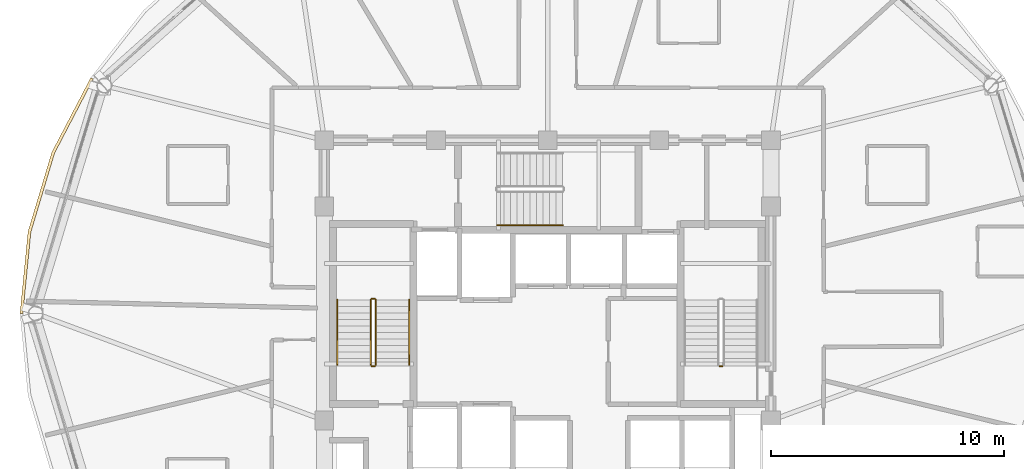
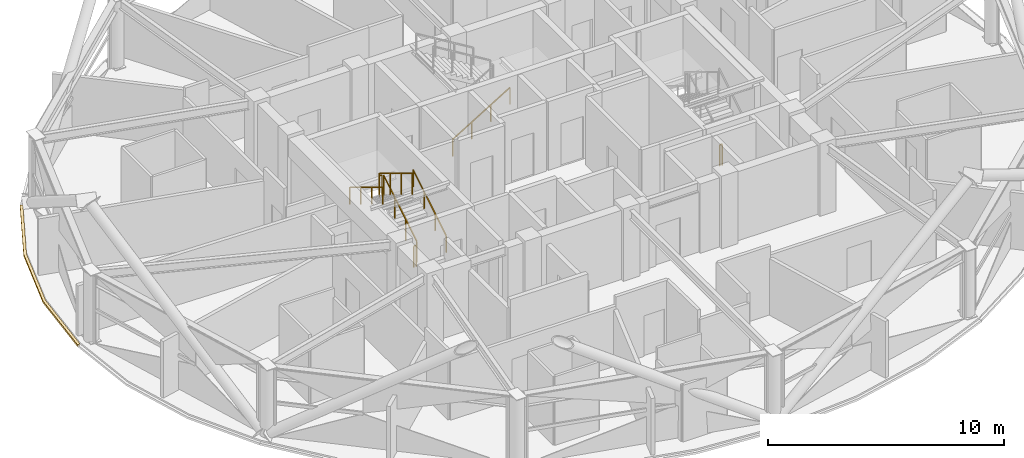
# One storey, part 27 of 29: 8 railings, 1 covering.
"""IFC4 building model written with IfcOpenShell, lengths in metres."""

from ifc_helpers import new_model, si_unit, direction, frame, origin, origin_2d, place, context, subcontext, project, spatial, polyline, rectangle, outline, extrude, material, layer, layer_set, type_object, element, save


model = new_model("IFC4")

# Units and contexts
model_context = context("Model", 3, precision=1e-05, world=origin(), true_north=direction((0.0, 1.0)))
body_context = subcontext(model_context, "Body", "Model", "MODEL_VIEW")
ifc_project = project(units=[si_unit("LENGTHUNIT", "METRE"), si_unit("AREAUNIT", "SQUARE_METRE"), si_unit("VOLUMEUNIT", "CUBIC_METRE"), si_unit("PLANEANGLEUNIT", "RADIAN"), si_unit("MASSUNIT", "GRAM", prefix="KILO")], contexts=[model_context])

# Site, building, storey
site_placement = place(None, origin())
site = spatial("IfcSite", under=ifc_project, at=site_placement, CompositionType="ELEMENT")
building_placement = place(site_placement, origin())
building = spatial("IfcBuilding", under=site, at=building_placement, Name="Vantalir Tower", CompositionType="ELEMENT")
storey_placement = place(building_placement, frame((0.0, 0.0, 219.89990234375)))
storey = spatial("IfcBuildingStorey", under=building, at=storey_placement, Name="L55", CompositionType="ELEMENT", Elevation=219.89990234375)

# Covering
ifc_material_1 = material(Name="Anodised champagne aluminium sill fascia", Category="aluminium")
ifc_layer = layer(ifc_material_1, 0.125)
ifc_layer_set = layer_set([ifc_layer], Name="Anodised champagne aluminium sill fascia")
covering_type = type_object("IfcCoveringType", Name="COV-SLAB-FASCIA-125", PredefinedType="CLADDING", material=ifc_layer_set)
covering_placement = place(storey_placement, frame((0.0, 0.0, -0.179931640625)))
element("IfcCovering", 1, at=covering_placement, inside=storey, type_object=covering_type, Name="L55 Perimeter Slab-Edge Sill Fascia 06", PredefinedType="CLADDING", context=body_context, shape_type="SweptSolid", body=[
    extrude(outline(polyline([(11.85205078125, 35.135009765625), (10.179931640625, 31.93310546875), (9.156982421875, 28.52001953125), (8.81201171875, 25.0), (8.93701171875, 25.0), (9.280029296875, 28.498046875), (10.298095703125, 31.889892578125), (11.9599609375, 35.072998046875), (11.85205078125, 35.135009765625)])), origin(), (0.0, 0.0, 1.0), 0.10498046875),
])

# Railings
ifc_material_2 = material(Name="Anodised aluminium and stainless steel guard", Category="steel")
railing_type_1 = type_object("IfcRailingType", Name="RAL-GUARD-1120", PredefinedType="GUARDRAIL", material=ifc_material_2)
railing_1_placement = place(storey_placement, frame((24.110107421875, 22.7900390625, 0.170654296875)))
element("IfcRailing", 2, at=railing_1_placement, inside=storey, type_object=railing_type_1, Name="L55 ST1 stair guard 1", PredefinedType="GUARDRAIL", context=body_context, shape_type="SweptSolid", body=[
    extrude(rectangle(XDim=0.048095703125, YDim=0.048095703125, at=origin_2d()), frame((0.0, 0.0, 1.09619140625), z_axis=(0.0, 0.854202870247, 0.519939858505), x_axis=(-1.0, 0.0, 0.0)), (0.0, 0.0, 1.0), 3.278076171875),
    extrude(rectangle(XDim=0.0419921875, YDim=0.0419921875, at=origin_2d()), origin(), (0.0, 0.0, 1.0), 1.072021484375),
    extrude(rectangle(XDim=0.0419921875, YDim=0.0419921875, at=origin_2d()), frame((0.0, 0.933349609375, 0.568115234375)), (0.0, 0.0, 1.0), 1.072021484375),
    extrude(rectangle(XDim=0.0419921875, YDim=0.0419921875, at=origin_2d()), frame((0.0, 1.86669921875, 1.13623046875)), (0.0, 0.0, 1.0), 1.072021484375),
    extrude(rectangle(XDim=0.0419921875, YDim=0.0419921875, at=origin_2d()), frame((0.0, 2.800048828125, 1.704345703125)), (0.0, 0.0, 1.0), 1.072021484375),
])
railing_2_placement = place(storey_placement, frame((24.06005859375, 25.639892578125, 1.875)))
element("IfcRailing", 3, at=railing_2_placement, inside=storey, type_object=railing_type_1, Name="L55 ST1 stair guard 2", PredefinedType="GUARDRAIL", context=body_context, shape_type="SweptSolid", body=[
    extrude(rectangle(XDim=0.048095703125, YDim=0.048095703125, at=origin_2d()), frame((0.0, 0.0, 1.09619140625), z_axis=(-1.0, 0.0, 0.0), x_axis=(0.0, -1.0, 0.0)), (0.0, 0.0, 1.0), 0.1201171875),
    extrude(rectangle(XDim=0.0419921875, YDim=0.0419921875, at=origin_2d()), origin(), (0.0, 0.0, 1.0), 1.072021484375),
    extrude(rectangle(XDim=0.0419921875, YDim=0.0419921875, at=origin_2d()), frame((-0.1201171875, 0.0, 0.0)), (0.0, 0.0, 1.0), 1.072021484375),
])
railing_3_placement = place(storey_placement, frame((23.889892578125, 25.590087890625, 2.045654296875)))
element("IfcRailing", 4, at=railing_3_placement, inside=storey, type_object=railing_type_1, Name="L55 ST1 stair guard 3", PredefinedType="GUARDRAIL", context=body_context, shape_type="SweptSolid", body=[
    extrude(rectangle(XDim=0.048095703125, YDim=0.048095703125, at=origin_2d()), frame((0.0, 0.0, 1.09619140625), z_axis=(0.0, -0.854202870247, 0.519939858505), x_axis=(1.0, 0.0, 0.0)), (0.0, 0.0, 1.0), 3.278076171875),
    extrude(rectangle(XDim=0.0419921875, YDim=0.0419921875, at=origin_2d()), origin(), (0.0, 0.0, 1.0), 1.072021484375),
    extrude(rectangle(XDim=0.0419921875, YDim=0.0419921875, at=origin_2d()), frame((0.0, -0.933349609375, 0.568115234375)), (0.0, 0.0, 1.0), 1.072021484375),
    extrude(rectangle(XDim=0.0419921875, YDim=0.0419921875, at=origin_2d()), frame((0.0, -1.86669921875, 1.13623046875)), (0.0, 0.0, 1.0), 1.072021484375),
    extrude(rectangle(XDim=0.0419921875, YDim=0.0419921875, at=origin_2d()), frame((0.0, -2.800048828125, 1.704345703125)), (0.0, 0.0, 1.0), 1.072021484375),
])
for number, where, name in (
    (5, (24.06005859375, 22.739990234375, 0.0), "L55 ST1 stair guard 4"),
    (6, (39.010009765625, 22.739990234375, 0.0), "L55 ST2 stair guard 4"),
):
    element("IfcRailing", number, at=place(storey_placement, frame(where)), inside=storey, type_object=railing_type_1, Name=name, PredefinedType="GUARDRAIL", context=body_context, shape_type="SweptSolid", body=[
        extrude(rectangle(XDim=0.048095703125, YDim=0.048095703125, at=origin_2d()), frame((0.0, 0.0, 1.09619140625), z_axis=(-1.0, 0.0, 0.0), x_axis=(0.0, -1.0, 0.0)), (0.0, 0.0, 1.0), 0.1201171875),
        extrude(rectangle(XDim=0.0419921875, YDim=0.0419921875, at=origin_2d()), origin(), (0.0, 0.0, 1.0), 1.072021484375),
        extrude(rectangle(XDim=0.0419921875, YDim=0.0419921875, at=origin_2d()), frame((-0.1201171875, 0.0, 0.0)), (0.0, 0.0, 1.0), 1.072021484375),
    ])
ifc_material_3 = material(Name="Brushed stainless steel tubular handrail", Category="steel")
railing_type_2 = type_object("IfcRailingType", Name="RAL-HANDRAIL-900", PredefinedType="HANDRAIL", material=ifc_material_3)
railing_4_placement = place(storey_placement, frame((25.550048828125, 22.7900390625, 0.170654296875)))
element("IfcRailing", 7, at=railing_4_placement, inside=storey, type_object=railing_type_2, Name="L55 ST1 stair handrail 1", PredefinedType="HANDRAIL", context=body_context, shape_type="SweptSolid", body=[
    extrude(rectangle(XDim=0.048095703125, YDim=0.048095703125, at=origin_2d()), frame((0.0, 0.0, 0.8759765625), z_axis=(0.0, 0.854202870247, 0.519939858505), x_axis=(-1.0, 0.0, 0.0)), (0.0, 0.0, 1.0), 3.278076171875),
    extrude(rectangle(XDim=0.0419921875, YDim=0.0419921875, at=origin_2d()), origin(), (0.0, 0.0, 1.0), 0.851806640625),
    extrude(rectangle(XDim=0.0419921875, YDim=0.0419921875, at=origin_2d()), frame((0.0, 0.933349609375, 0.568115234375)), (0.0, 0.0, 1.0), 0.851806640625),
    extrude(rectangle(XDim=0.0419921875, YDim=0.0419921875, at=origin_2d()), frame((0.0, 1.86669921875, 1.13623046875)), (0.0, 0.0, 1.0), 0.851806640625),
    extrude(rectangle(XDim=0.0419921875, YDim=0.0419921875, at=origin_2d()), frame((0.0, 2.800048828125, 1.704345703125)), (0.0, 0.0, 1.0), 0.851806640625),
])
railing_5_placement = place(storey_placement, frame((22.449951171875, 25.590087890625, 2.045654296875)))
element("IfcRailing", 8, at=railing_5_placement, inside=storey, type_object=railing_type_2, Name="L55 ST1 stair handrail 2", PredefinedType="HANDRAIL", context=body_context, shape_type="SweptSolid", body=[
    extrude(rectangle(XDim=0.048095703125, YDim=0.048095703125, at=origin_2d()), frame((0.0, 0.0, 0.8759765625), z_axis=(0.0, -0.854202870247, 0.519939858505), x_axis=(1.0, 0.0, 0.0)), (0.0, 0.0, 1.0), 3.278076171875),
    extrude(rectangle(XDim=0.0419921875, YDim=0.0419921875, at=origin_2d()), origin(), (0.0, 0.0, 1.0), 0.851806640625),
    extrude(rectangle(XDim=0.0419921875, YDim=0.0419921875, at=origin_2d()), frame((0.0, -0.933349609375, 0.568115234375)), (0.0, 0.0, 1.0), 0.851806640625),
    extrude(rectangle(XDim=0.0419921875, YDim=0.0419921875, at=origin_2d()), frame((0.0, -1.86669921875, 1.13623046875)), (0.0, 0.0, 1.0), 0.851806640625),
    extrude(rectangle(XDim=0.0419921875, YDim=0.0419921875, at=origin_2d()), frame((0.0, -2.800048828125, 1.704345703125)), (0.0, 0.0, 1.0), 0.851806640625),
])
railing_6_placement = place(storey_placement, frame((29.340087890625, 28.800048828125, 0.170654296875)))
element("IfcRailing", 9, at=railing_6_placement, inside=storey, type_object=railing_type_2, Name="L55 ST3 stair handrail 1", PredefinedType="HANDRAIL", context=body_context, shape_type="SweptSolid", body=[
    extrude(rectangle(XDim=0.048095703125, YDim=0.048095703125, at=origin_2d()), frame((0.0, 0.0, 0.8759765625), z_axis=(0.854182733786, 0.0, 0.519972939009), x_axis=(0.0, 1.0, 0.0)), (0.0, 0.0, 1.0), 3.27783203125),
    extrude(rectangle(XDim=0.0419921875, YDim=0.0419921875, at=origin_2d()), origin(), (0.0, 0.0, 1.0), 0.851806640625),
    extrude(rectangle(XDim=0.0419921875, YDim=0.0419921875, at=origin_2d()), frame((0.933349609375, 0.0, 0.568115234375)), (0.0, 0.0, 1.0), 0.851806640625),
    extrude(rectangle(XDim=0.0419921875, YDim=0.0419921875, at=origin_2d()), frame((1.866455078125, 0.0, 1.13623046875)), (0.0, 0.0, 1.0), 0.851806640625),
    extrude(rectangle(XDim=0.0419921875, YDim=0.0419921875, at=origin_2d()), frame((2.7998046875, 0.0, 1.704345703125)), (0.0, 0.0, 1.0), 0.851806640625),
])

save(model, "model.ifc")
